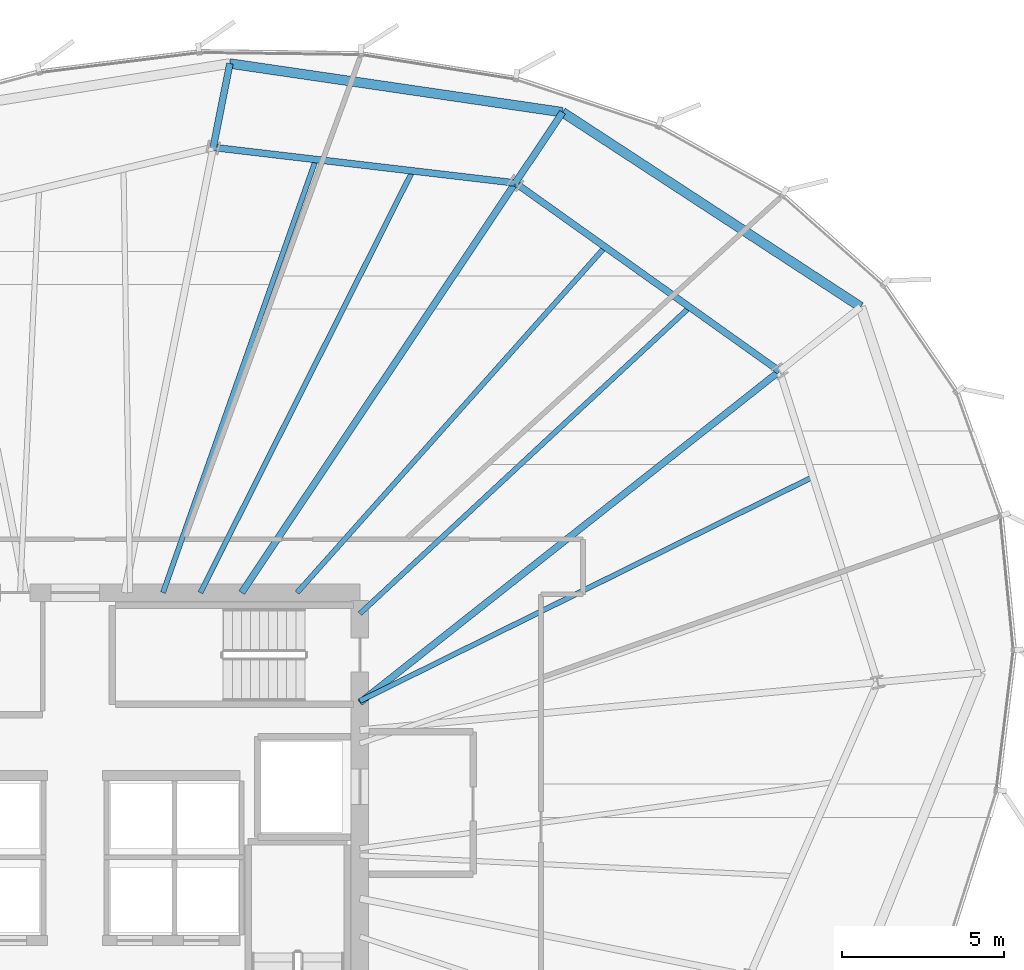
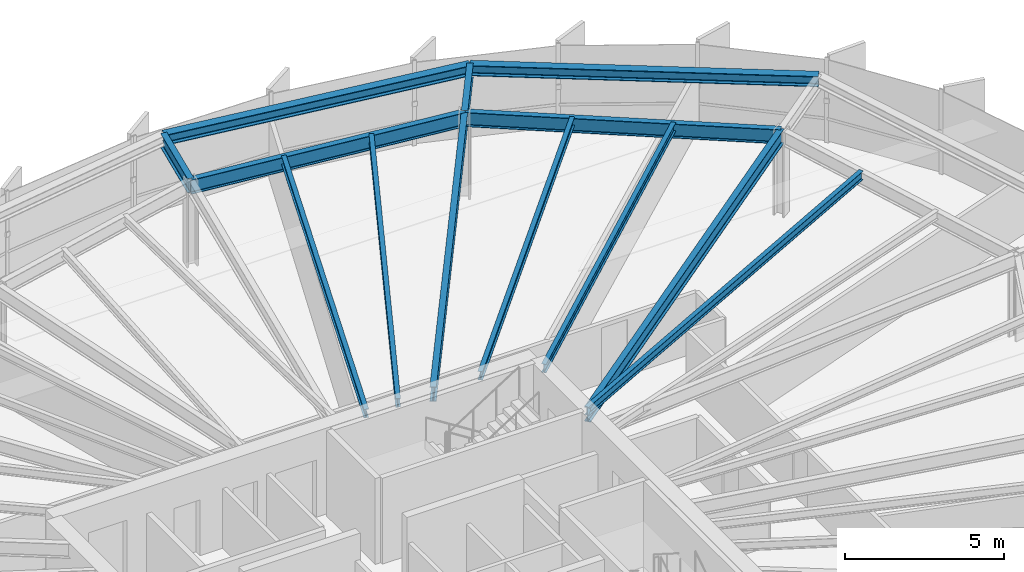
# One storey, part 23 of 36: 13 beams.
"""IFC4 building model written with IfcOpenShell, lengths in metres."""

from ifc_helpers import new_model, si_unit, direction, frame, origin, origin_2d, place, context, subcontext, project, spatial, i_section, extrude, source, transform, mapped, material, material_profile, profile_set, type_object, element, save


model = new_model("IFC4")

# Units and contexts
model_context = context("Model", 3, precision=1e-05, world=origin(), true_north=direction((0.0, 1.0)))
body_context = subcontext(model_context, "Body", "Model", "MODEL_VIEW")
ifc_project = project(units=[si_unit("LENGTHUNIT", "METRE"), si_unit("AREAUNIT", "SQUARE_METRE"), si_unit("VOLUMEUNIT", "CUBIC_METRE"), si_unit("PLANEANGLEUNIT", "RADIAN"), si_unit("MASSUNIT", "GRAM", prefix="KILO"), si_unit("THERMODYNAMICTEMPERATUREUNIT", "KELVIN")], contexts=[model_context])

# Site, building, storey
site_placement = place(None, origin())
site = spatial("IfcSite", under=ifc_project, at=site_placement, CompositionType="ELEMENT")
building_placement = place(site_placement, origin())
building = spatial("IfcBuilding", under=site, at=building_placement, Name="Kethvar Cultural Tower", CompositionType="ELEMENT")
storey_placement = place(building_placement, frame((0.0, 0.0, 143.0)))
storey = spatial("IfcBuildingStorey", under=building, at=storey_placement, Name="L36", CompositionType="ELEMENT", Elevation=143.0)

# Beams
ifc_material = material(Name="Steel S355J2", Category="steel")
ifc_material_profile_1 = material_profile(ifc_material, i_section(OverallWidth=0.2099609375, OverallDepth=0.550048828125, WebThickness=0.010986328125, FlangeThickness=0.01708984375, FilletRadius=0.02392578125, at=origin_2d()), Name="Steel S355J2 — IPE550")
ifc_profile_set_1 = profile_set([ifc_material_profile_1], Name="Steel S355J2 — IPE550")
beam_type_1 = type_object("IfcBeamType", Name="BM-IPE550", PredefinedType="BEAM", material=ifc_profile_set_1)
shared_shape_1 = source(origin(), body_context, "Body", "SweptSolid", [
    extrude(i_section(OverallWidth=0.2099609375, OverallDepth=0.550048828125, WebThickness=0.010986328125, FlangeThickness=0.01708984375, FilletRadius=0.02392578125, at=origin_2d()), origin(), (0.0, 0.0, 1.0), 16.527099609375),
])
beam_1_placement = place(storey_placement, frame((55.60009765625, 32.10009765625, 3.02294921875), z_axis=(0.784681939021, 0.619898584105, 0.0), x_axis=(-0.619898584105, 0.784681939021, 0.0)))
element("IfcBeam", 1, at=beam_1_placement, inside=storey, type_object=beam_type_1, Name="L36 Primary Radial Beam RB-02", PredefinedType="BEAM", context=body_context, shape_type="MappedRepresentation", body=[
    mapped(shared_shape_1, transform((0.0, 0.0, 0.0), scale=1.0)),
])
shared_shape_2 = source(origin(), body_context, "Body", "SweptSolid", [
    extrude(i_section(OverallWidth=0.2099609375, OverallDepth=0.550048828125, WebThickness=0.010986328125, FlangeThickness=0.01708984375, FilletRadius=0.02392578125, at=origin_2d()), origin(), (0.0, 0.0, 1.0), 15.22705078125),
])
beam_2_placement = place(storey_placement, frame((51.945068359375, 35.5, 3.02294921875), z_axis=(0.555569390778, 0.83147017507, 0.0), x_axis=(-0.83147017507, 0.555569390778, 0.0)))
element("IfcBeam", 2, at=beam_2_placement, inside=storey, type_object=beam_type_1, Name="L36 Primary Radial Beam RB-03", PredefinedType="BEAM", context=body_context, shape_type="MappedRepresentation", body=[
    mapped(shared_shape_2, transform((0.0, 0.0, 0.0), scale=1.0)),
])
ifc_material_profile_2 = material_profile(ifc_material, i_section(OverallWidth=0.159912109375, OverallDepth=0.330078125, WebThickness=0.007568359375, FlangeThickness=0.011474609375, FilletRadius=0.01806640625, at=origin_2d()), Name="Steel S355J2 — IPE330")
ifc_profile_set_2 = profile_set([ifc_material_profile_2], Name="Steel S355J2 — IPE330")
beam_type_2 = type_object("IfcBeamType", Name="BM-J330", PredefinedType="JOIST", material=ifc_profile_set_2)
shared_shape_3 = source(origin(), body_context, "Body", "SweptSolid", [
    extrude(i_section(OverallWidth=0.159912109375, OverallDepth=0.330078125, WebThickness=0.007568359375, FlangeThickness=0.011474609375, FilletRadius=0.01806640625, at=origin_2d()), origin(), (0.0, 0.0, 1.0), 15.618896484375),
])
beam_3_placement = place(storey_placement, frame((55.60009765625, 32.152587890625, 3.133056640625), z_axis=(0.896344638992, 0.443357968408, 0.0), x_axis=(-0.443357968408, 0.896344638992, 0.0)))
element("IfcBeam", 3, at=beam_3_placement, inside=storey, type_object=beam_type_2, Name="L36 Composite Floor Joist J-01B", PredefinedType="JOIST", context=body_context, shape_type="MappedRepresentation", body=[
    mapped(shared_shape_3, transform((0.0, 0.0, 0.0), scale=1.0)),
])
shared_shape_4 = source(origin(), body_context, "Body", "SweptSolid", [
    extrude(i_section(OverallWidth=0.2099609375, OverallDepth=0.550048828125, WebThickness=0.010986328125, FlangeThickness=0.01708984375, FilletRadius=0.02392578125, at=origin_2d()), origin(), (0.0, 0.0, 1.0), 10.0234375),
])
beam_4_placement = place(storey_placement, frame((68.568603515625, 42.34521484375, 3.02294921875), z_axis=(-0.814470106239, 0.580205520521, 0.0), x_axis=(-0.580205520521, -0.814470106239, 0.0)))
element("IfcBeam", 4, at=beam_4_placement, inside=storey, type_object=beam_type_1, Name="L36 Column Ring Tie Beam CR-02", PredefinedType="BEAM", context=body_context, shape_type="MappedRepresentation", body=[
    mapped(shared_shape_4, transform((0.0, 0.0, 0.0), scale=1.0)),
])
shared_shape_5 = source(origin(), body_context, "Body", "SweptSolid", [
    extrude(i_section(OverallWidth=0.159912109375, OverallDepth=0.330078125, WebThickness=0.007568359375, FlangeThickness=0.011474609375, FilletRadius=0.01806640625, at=origin_2d()), origin(), (0.0, 0.0, 1.0), 13.91455078125),
])
beam_5_placement = place(storey_placement, frame((55.60009765625, 34.85009765625, 3.133056640625), z_axis=(0.732512843328, 0.680753211054, 0.0), x_axis=(-0.680753211054, 0.732512843328, 0.0)))
element("IfcBeam", 5, at=beam_5_placement, inside=storey, type_object=beam_type_2, Name="L36 Composite Floor Joist J-02A", PredefinedType="JOIST", context=body_context, shape_type="MappedRepresentation", body=[
    mapped(shared_shape_5, transform((0.0, 0.0, 0.0), scale=1.0)),
])
shared_shape_6 = source(origin(), body_context, "Body", "SweptSolid", [
    extrude(i_section(OverallWidth=0.159912109375, OverallDepth=0.330078125, WebThickness=0.007568359375, FlangeThickness=0.011474609375, FilletRadius=0.01806640625, at=origin_2d()), origin(), (0.0, 0.0, 1.0), 14.3095703125),
])
beam_6_placement = place(storey_placement, frame((53.660888671875, 35.5, 3.133056640625), z_axis=(0.665261381663, 0.746610537073, 0.0), x_axis=(-0.746610537073, 0.665261381663, 0.0)))
element("IfcBeam", 6, at=beam_6_placement, inside=storey, type_object=beam_type_2, Name="L36 Composite Floor Joist J-02B", PredefinedType="JOIST", context=body_context, shape_type="MappedRepresentation", body=[
    mapped(shared_shape_6, transform((0.0, 0.0, 0.0), scale=1.0)),
])
shared_shape_7 = source(origin(), body_context, "Body", "SweptSolid", [
    extrude(i_section(OverallWidth=0.2099609375, OverallDepth=0.550048828125, WebThickness=0.010986328125, FlangeThickness=0.01708984375, FilletRadius=0.02392578125, at=origin_2d()), origin(), (0.0, 0.0, 1.0), 9.400634765625),
])
beam_7_placement = place(storey_placement, frame((60.40478515625, 48.160888671875, 3.02294921875), z_axis=(-0.993150427046, 0.116842754407, 0.0), x_axis=(-0.116842754407, -0.993150427046, 0.0)))
element("IfcBeam", 7, at=beam_7_placement, inside=storey, type_object=beam_type_1, Name="L36 Column Ring Tie Beam CR-03", PredefinedType="BEAM", context=body_context, shape_type="MappedRepresentation", body=[
    mapped(shared_shape_7, transform((0.0, 0.0, 0.0), scale=1.0)),
])
shared_shape_8 = source(origin(), body_context, "Body", "SweptSolid", [
    extrude(i_section(OverallWidth=0.159912109375, OverallDepth=0.330078125, WebThickness=0.007568359375, FlangeThickness=0.011474609375, FilletRadius=0.01806640625, at=origin_2d()), origin(), (0.0, 0.0, 1.0), 14.590576171875),
])
beam_8_placement = place(storey_placement, frame((50.673583984375, 35.5, 3.133056640625), z_axis=(0.449394228778, 0.893333547529, 0.0), x_axis=(-0.893333547529, 0.449394228778, 0.0)))
element("IfcBeam", 8, at=beam_8_placement, inside=storey, type_object=beam_type_2, Name="L36 Composite Floor Joist J-03A", PredefinedType="JOIST", context=body_context, shape_type="MappedRepresentation", body=[
    mapped(shared_shape_8, transform((0.0, 0.0, 0.0), scale=1.0)),
])
shared_shape_9 = source(origin(), body_context, "Body", "SweptSolid", [
    extrude(i_section(OverallWidth=0.159912109375, OverallDepth=0.330078125, WebThickness=0.007568359375, FlangeThickness=0.011474609375, FilletRadius=0.01806640625, at=origin_2d()), origin(), (0.0, 0.0, 1.0), 14.1953125),
])
beam_9_placement = place(storey_placement, frame((49.517822265625, 35.5, 3.133056640625), z_axis=(0.332865098769, 0.942974456717, 0.0), x_axis=(-0.942974456717, 0.332865098769, 0.0)))
element("IfcBeam", 9, at=beam_9_placement, inside=storey, type_object=beam_type_2, Name="L36 Composite Floor Joist J-03B", PredefinedType="JOIST", context=body_context, shape_type="MappedRepresentation", body=[
    mapped(shared_shape_9, transform((0.0, 0.0, 0.0), scale=1.0)),
])
shared_shape_10 = source(origin(), body_context, "Body", "SweptSolid", [
    extrude(i_section(OverallWidth=0.2099609375, OverallDepth=0.550048828125, WebThickness=0.010986328125, FlangeThickness=0.01708984375, FilletRadius=0.02392578125, at=origin_2d()), origin(), (0.0, 0.0, 1.0), 2.628662109375),
])
beam_10_placement = place(storey_placement, frame((60.40478515625, 48.160888671875, 3.02294921875), z_axis=(0.555492964735, 0.831521236127, 0.0), x_axis=(-0.831521236127, 0.555492964735, 0.0)))
element("IfcBeam", 10, at=beam_10_placement, inside=storey, type_object=beam_type_1, Name="L36 Perimeter Cantilever Beam RC-03", PredefinedType="BEAM", context=body_context, shape_type="MappedRepresentation", body=[
    mapped(shared_shape_10, transform((0.0, 0.0, 0.0), scale=1.0)),
])
shared_shape_11 = source(origin(), body_context, "Body", "SweptSolid", [
    extrude(i_section(OverallWidth=0.2099609375, OverallDepth=0.550048828125, WebThickness=0.010986328125, FlangeThickness=0.01708984375, FilletRadius=0.02392578125, at=origin_2d()), origin(), (0.0, 0.0, 1.0), 2.6435546875),
])
beam_11_placement = place(storey_placement, frame((51.068603515625, 49.25927734375, 3.02294921875), z_axis=(0.19505040306, 0.980793219933, 0.0), x_axis=(-0.980793219933, 0.19505040306, 0.0)))
element("IfcBeam", 11, at=beam_11_placement, inside=storey, type_object=beam_type_1, Name="L36 Perimeter Cantilever Beam RC-04", PredefinedType="BEAM", context=body_context, shape_type="MappedRepresentation", body=[
    mapped(shared_shape_11, transform((0.0, 0.0, 0.0), scale=1.0)),
])
ifc_material_profile_3 = material_profile(ifc_material, i_section(OverallWidth=0.300048828125, OverallDepth=0.39990234375, WebThickness=0.013427734375, FlangeThickness=0.02392578125, FilletRadius=0.027099609375, at=origin_2d()), Name="Steel S355J2 — HEB400")
ifc_profile_set_3 = profile_set([ifc_material_profile_3], Name="Steel S355J2 — HEB400")
beam_type_3 = type_object("IfcBeamType", Name="BM-SP400", PredefinedType="SPANDREL", material=ifc_profile_set_3)
shared_shape_12 = source(origin(), body_context, "Body", "SweptSolid", [
    extrude(i_section(OverallWidth=0.300048828125, OverallDepth=0.39990234375, WebThickness=0.013427734375, FlangeThickness=0.02392578125, FilletRadius=0.027099609375, at=origin_2d()), origin(), (0.0, 0.0, 1.0), 11.00537109375),
])
beam_12_placement = place(storey_placement, frame((71.07958984375, 44.3291015625, 3.097900390625), z_axis=(-0.837275478835, 0.546781284008, 0.0), x_axis=(-0.546781284008, -0.837275478835, 0.0)))
element("IfcBeam", 12, at=beam_12_placement, inside=storey, type_object=beam_type_3, Name="L36 Perimeter Spandrel Beam SP-02", PredefinedType="SPANDREL", context=body_context, shape_type="MappedRepresentation", body=[
    mapped(shared_shape_12, transform((0.0, 0.0, 0.0), scale=1.0)),
])
shared_shape_13 = source(origin(), body_context, "Body", "SweptSolid", [
    extrude(i_section(OverallWidth=0.300048828125, OverallDepth=0.39990234375, WebThickness=0.013427734375, FlangeThickness=0.02392578125, FilletRadius=0.027099609375, at=origin_2d()), origin(), (0.0, 0.0, 1.0), 10.390380859375),
])
beam_13_placement = place(storey_placement, frame((61.864990234375, 50.3466796875, 3.097900390625), z_axis=(-0.989449072873, 0.144881096731, 0.0), x_axis=(-0.144881096731, -0.989449072873, 0.0)))
element("IfcBeam", 13, at=beam_13_placement, inside=storey, type_object=beam_type_3, Name="L36 Perimeter Spandrel Beam SP-03", PredefinedType="SPANDREL", context=body_context, shape_type="MappedRepresentation", body=[
    mapped(shared_shape_13, transform((0.0, 0.0, 0.0), scale=1.0)),
])

save(model, "model.ifc")
